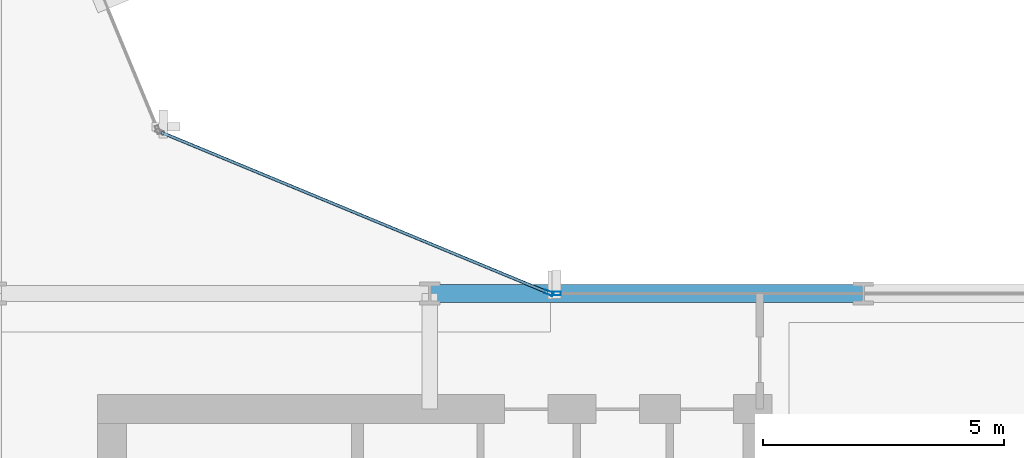
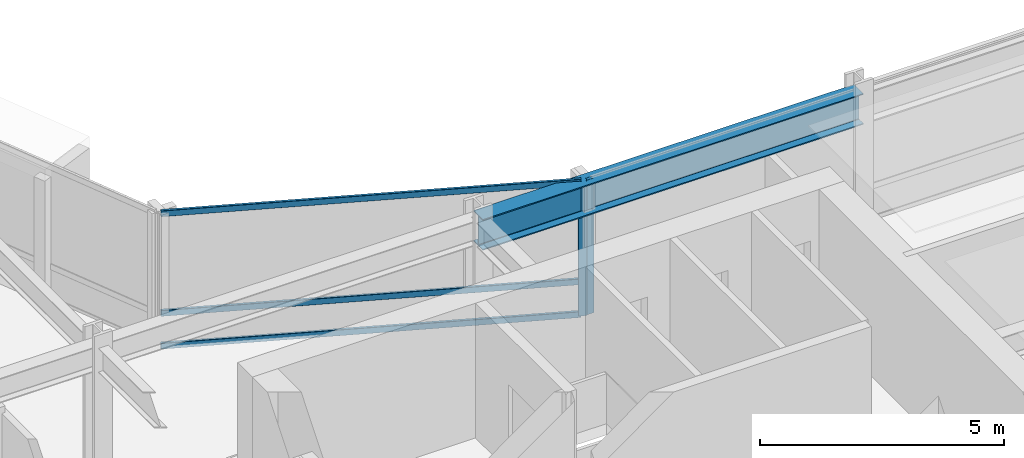
# One storey, part 15 of 34: 5 members, 1 beam, 2 elements without a shape of their own.
"""IFC4 building model written with IfcOpenShell, lengths in metres."""

import ifcopenshell
import ifcopenshell.guid

model = None  # the IFC model being written
_history = None  # IfcOwnerHistory: only IFC2X3 demands one
_inside = {}  # id of a spatial element -> (the spatial element, [elements in it])
_under = {}  # id of a project, library or spatial element -> (it, [spatial elements below it])
_declared = {}  # id of a project -> (the project, [libraries it declares])
_typed = {}  # id of a type object -> (the type object, [elements of that type])
_made_of = {}  # id of a material, layer set ... -> (it, [elements and type objects made of it])


def new_model(schema):
    """Start an empty IFC model of exactly this schema.

    Asked for "IFC4X3", IfcOpenShell would pick the latest addendum, in which some entities
    have other attributes; the version numbers below select the first issue.
    IFC2X3 requires an IfcOwnerHistory on every rooted entity: one is made here for all.
    """
    global model, _history
    if schema == "IFC4X3":
        model = ifcopenshell.file(schema_version=(4, 3, 0, 0))
    else:
        model = ifcopenshell.file(schema=schema)
    _inside.clear()
    _under.clear()
    _declared.clear()
    _typed.clear()
    _made_of.clear()
    _history = None
    if model.schema == "IFC2X3":
        org = make("IfcOrganization", Name="unknown")
        user = make(
            "IfcPersonAndOrganization",
            ThePerson=make("IfcPerson", FamilyName="unknown"),
            TheOrganization=org,
        )
        app = make(
            "IfcApplication",
            ApplicationDeveloper=org,
            Version="unknown",
            ApplicationFullName="unknown",
            ApplicationIdentifier="unknown",
        )
        _history = make(
            "IfcOwnerHistory",
            OwningUser=user,
            OwningApplication=app,
            ChangeAction="ADDED",
            CreationDate=0,
        )
    return model


def make(cls, **values):
    """One entity of the class cls with the attributes given. An attribute that is None is left unset."""
    return model.create_entity(
        cls, **{name: value for name, value in values.items() if value is not None}
    )


def rooted(cls, **values):
    """An entity with a GlobalId (a new one), such as an element, a storey or a relation."""
    return make(cls, GlobalId=ifcopenshell.guid.new(), OwnerHistory=_history, **values)


def si_unit(unit_type, name, prefix=None):
    """IfcSIUnit, for example si_unit("LENGTHUNIT", "METRE", prefix="MILLI")."""
    return make("IfcSIUnit", UnitType=unit_type, Prefix=prefix, Name=name)


def assignment(units):
    """IfcUnitAssignment: the units of a project."""
    return None if units is None else make("IfcUnitAssignment", Units=units)


def point(xyz):
    """IfcCartesianPoint."""
    return None if xyz is None else make("IfcCartesianPoint", Coordinates=xyz)


def direction(xyz):
    """IfcDirection."""
    return None if xyz is None else make("IfcDirection", DirectionRatios=xyz)


def frame(location, z_axis=None, x_axis=None):
    """IfcAxis2Placement3D, a coordinate frame: its origin and axes. An axis left out is left unset."""
    return make(
        "IfcAxis2Placement3D",
        Location=point(location),
        Axis=direction(z_axis),
        RefDirection=direction(x_axis),
    )


def frame_2d(location, x_axis=None):
    """IfcAxis2Placement2D, a coordinate frame in the plane: its origin and x axis."""
    return make(
        "IfcAxis2Placement2D", Location=point(location), RefDirection=direction(x_axis)
    )


def origin():
    """The frame at (0, 0, 0) with its axes left unset."""
    return frame((0.0, 0.0, 0.0))


def origin_2d():
    """The frame at (0, 0) in the plane with its x axis left unset."""
    return frame_2d((0.0, 0.0))


def place(relative_to, where):
    """IfcLocalPlacement: puts the frame where relative to a parent placement (None: the world)."""
    return make(
        "IfcLocalPlacement", PlacementRelTo=relative_to, RelativePlacement=where
    )


def context(
    kind, dimensions, precision=None, world=None, true_north=None, identifier=None
):
    """IfcGeometricRepresentationContext, for example the 3D "Model" context."""
    return make(
        "IfcGeometricRepresentationContext",
        ContextIdentifier=identifier,
        ContextType=kind,
        CoordinateSpaceDimension=dimensions,
        Precision=precision,
        WorldCoordinateSystem=world,
        TrueNorth=true_north,
    )


def subcontext(parent, identifier, kind, view, scale=None):
    """IfcGeometricRepresentationSubContext, for example "Body" below "Model"."""
    return make(
        "IfcGeometricRepresentationSubContext",
        ContextIdentifier=identifier,
        ContextType=kind,
        ParentContext=parent,
        TargetScale=scale,
        TargetView=view,
    )


def project(units=None, contexts=None):
    """IfcProject with its units and contexts."""
    return rooted(
        "IfcProject",
        Name="project",
        RepresentationContexts=contexts,
        UnitsInContext=assignment(units),
    )


def spatial(cls, under=None, at=None, **own):
    """A site, building, storey or space (cls), placed at a placement, below another one or the project."""
    s = rooted(cls, ObjectPlacement=at, **own)
    if under is not None:
        _under.setdefault(under.id(), (under, []))[1].append(s)
    return s


def profile(cls, at=None, kind="AREA", **sizes):
    """A parametric profile (cls). Its sizes go by their IFC names, for example OverallWidth=200.0."""
    return make(cls, ProfileType=kind, Position=at, **sizes)


def hollow_rectangle(**sizes):
    """IfcRectangleHollowProfileDef."""
    return profile("IfcRectangleHollowProfileDef", **sizes)


def i_section(**sizes):
    """IfcIShapeProfileDef."""
    return profile("IfcIShapeProfileDef", **sizes)


def extrude(swept, where, along, depth):
    """IfcExtrudedAreaSolid: the profile swept, set in the frame where, extruded along a direction by depth."""
    return make(
        "IfcExtrudedAreaSolid",
        SweptArea=swept,
        Position=where,
        ExtrudedDirection=direction(along),
        Depth=depth,
    )


def shape(context_of_items, identifier, shape_type, items):
    """IfcShapeRepresentation: the items that make up one representation, for example the "Body"."""
    return make(
        "IfcShapeRepresentation",
        ContextOfItems=context_of_items,
        RepresentationIdentifier=identifier,
        RepresentationType=shape_type,
        Items=items,
    )


def material(Name=None, Category=None):
    """IfcMaterial."""
    return make("IfcMaterial", Name=Name, Category=Category)


def layer(
    of_material, thickness, ventilated=None, Name=None, Category=None, Priority=None
):
    """IfcMaterialLayer: one layer of a wall or slab, of a material (None: an air gap)."""
    return make(
        "IfcMaterialLayer",
        Material=of_material,
        LayerThickness=thickness,
        IsVentilated=ventilated,
        Name=Name,
        Category=Category,
        Priority=Priority,
    )


def layer_set(layers, Name=None):
    """IfcMaterialLayerSet."""
    return make("IfcMaterialLayerSet", MaterialLayers=layers, LayerSetName=Name)


def material_profile(
    of_material, cross_section, Name=None, Category=None, Priority=None
):
    """IfcMaterialProfile: a cross section and its material."""
    return make(
        "IfcMaterialProfile",
        Name=Name,
        Material=of_material,
        Profile=cross_section,
        Priority=Priority,
        Category=Category,
    )


def profile_set(profiles, Name=None, composite=None):
    """IfcMaterialProfileSet."""
    return make(
        "IfcMaterialProfileSet",
        Name=Name,
        MaterialProfiles=profiles,
        CompositeProfile=composite,
    )


def made_of(thing, what):
    """Note that an element or type object is made of a material, layer set ...; save() writes the relation."""
    if what is not None:
        _made_of.setdefault(what.id(), (what, []))[1].append(thing)
    return thing


def type_object(cls, material=None, **own):
    """A type object (cls), such as IfcWallType, which elements share."""
    return made_of(rooted(cls, **own), material)


def element(
    cls,
    number,
    at=None,
    inside=None,
    cuts=None,
    type_object=None,
    material=None,
    context=None,
    identifier="Body",
    shape_type=None,
    held_by="IfcProductDefinitionShape",
    body=None,
    shapes=None,
    **own,
):
    """One element of the class cls, such as IfcWall. Its Tag is "e" and its number.

    at: its placement. inside: the storey or other place that contains it. cuts: it is an
    opening in that element (IfcRelVoidsElement). A single representation is given by context,
    identifier, shape_type and body (its items); several are given by shapes. held_by: the class
    of the entity that holds the representations. save() writes the other relations.
    """
    e = rooted(cls, Tag="e%d" % number, ObjectPlacement=at, **own)
    if body is not None:
        shapes = [shape(context, identifier, shape_type, body)]
    if shapes is not None:
        e.Representation = make(held_by, Representations=shapes)
    if inside is not None:
        _inside.setdefault(inside.id(), (inside, []))[1].append(e)
    if cuts is not None:
        rooted(
            "IfcRelVoidsElement", RelatingBuildingElement=cuts, RelatedOpeningElement=e
        )
    if type_object is not None:
        _typed.setdefault(type_object.id(), (type_object, []))[1].append(e)
    return made_of(e, material)


def aggregate(whole, parts):
    """IfcRelAggregates: a whole, such as a stair, and the parts it consists of."""
    return rooted("IfcRelAggregates", RelatingObject=whole, RelatedObjects=parts)


def save(model, path):
    """Write the relations noted so far, then the file.

    IfcRelAggregates (storeys below a building ...), IfcRelContainedInSpatialStructure (elements
    in a storey), IfcRelDefinesByType, IfcRelAssociatesMaterial and IfcRelDeclares: one each for
    every whole, place, type object, material and project.
    """
    for whole, parts in _under.values():
        aggregate(whole, parts)
    for where, things in _inside.values():
        rooted(
            "IfcRelContainedInSpatialStructure",
            RelatedElements=things,
            RelatingStructure=where,
        )
    for kind, things in _typed.values():
        rooted("IfcRelDefinesByType", RelatedObjects=things, RelatingType=kind)
    for what, things in _made_of.values():
        rooted("IfcRelAssociatesMaterial", RelatedObjects=things, RelatingMaterial=what)
    for by, libraries in _declared.values():
        rooted("IfcRelDeclares", RelatingContext=by, RelatedDefinitions=libraries)
    model.write(path)


model = new_model("IFC4")

# Units and contexts
model_context = context("Model", 3, precision=1e-05, world=origin(), true_north=direction((0.0, 1.0)))
body_context = subcontext(model_context, "Body", "Model", "MODEL_VIEW")
ifc_project = project(units=[si_unit("LENGTHUNIT", "METRE"), si_unit("AREAUNIT", "SQUARE_METRE"), si_unit("VOLUMEUNIT", "CUBIC_METRE"), si_unit("PLANEANGLEUNIT", "RADIAN"), si_unit("MASSUNIT", "GRAM", prefix="KILO")], contexts=[model_context])

# Site, building, storey
site_placement = place(None, origin())
site = spatial("IfcSite", under=ifc_project, at=site_placement, CompositionType="ELEMENT")
building_placement = place(site_placement, origin())
building = spatial("IfcBuilding", under=site, at=building_placement, Name="Solvaryn Broadcast Tower", CompositionType="ELEMENT")
storey_placement = place(building_placement, frame((0.0, 0.0, 96.5)))
storey = spatial("IfcBuildingStorey", under=building, at=storey_placement, Name="L23", CompositionType="ELEMENT", Elevation=96.5)

# Beam
ifc_material_1 = material(Name="Steel ASTM A992 Grade 50", Category="steel")
ifc_material_profile_1 = material_profile(ifc_material_1, i_section(OverallWidth=0.381103515625, OverallDepth=0.77294921875, WebThickness=0.0166015625, FlangeThickness=0.027099609375, FilletRadius=0.01806640625, at=origin_2d()))
ifc_profile_set_1 = profile_set([ifc_material_profile_1], Name="Steel ASTM A992 Grade 50")
beam_type = type_object("IfcBeamType", Name="BM-SP1-W30X173", PredefinedType="USERDEFINED", material=ifc_profile_set_1)
beam_placement = place(storey_placement, frame((36.0, 27.0, 2.9833984375), z_axis=(1.0, 0.0, 0.0), x_axis=(0.0, 1.0, 0.0)))
element("IfcBeam", 1, at=beam_placement, inside=storey, type_object=beam_type, Name="L23 Spandrel Beam X (36-45 @ Y=27)", ObjectType="SPANDREL", PredefinedType="USERDEFINED", context=body_context, shape_type="SweptSolid", body=[
    extrude(i_section(OverallWidth=0.381103515625, OverallDepth=0.77294921875, WebThickness=0.0166015625, FlangeThickness=0.027099609375, FilletRadius=0.01806640625, at=origin_2d()), origin(), (0.0, 0.0, 1.0), 9.0),
])

# Curtain wall, member
ifc_material_2 = material(Name="Aluminium and Terracotta Unitised Curtain Wall", Category="masonry")
ifc_layer = layer(ifc_material_2, 0.199951171875)
ifc_layer_set = layer_set([ifc_layer], Name="CW-SYS2-LOWMID")
curtain_wall_type = type_object("IfcCurtainWallType", Name="CW-SYS2-LOWMID", PredefinedType="NOTDEFINED", material=ifc_layer_set)
curtain_wall_1_placement = place(storey_placement, origin())
curtain_wall_1 = element("IfcCurtainWall", 2, at=curtain_wall_1_placement, inside=storey, type_object=curtain_wall_type, Name="L23 Curtain Wall CN1", PredefinedType="NOTDEFINED")
ifc_material_3 = material(Name="Anodised Aluminium 6063-T6", Category="aluminium")
ifc_material_profile_2 = material_profile(ifc_material_3, hollow_rectangle(XDim=0.074951171875, YDim=0.179931640625, WallThickness=0.00390625, InnerFilletRadius=0.00390625, OuterFilletRadius=0.008056640625, at=origin_2d()))
ifc_profile_set_2 = profile_set([ifc_material_profile_2], Name="Anodised Aluminium 6063-T6")
member_type_1 = type_object("IfcMemberType", Name="CW-MUL-180", PredefinedType="MULLION", material=ifc_profile_set_2)
member_1_placement = place(storey_placement, frame((38.47216796875, 27.011474609375, 0.0), z_axis=(0.0, 0.0, 1.0), x_axis=(-0.382646127145, -0.923894983957, 0.0)))
member_1 = element("IfcMember", 3, at=member_1_placement, type_object=member_type_1, Name="CWS2 mullion 1", PredefinedType="MULLION", context=body_context, shape_type="SweptSolid", body=[
    extrude(hollow_rectangle(XDim=0.074951171875, YDim=0.179931640625, WallThickness=0.00390625, InnerFilletRadius=0.00390625, OuterFilletRadius=0.008056640625, at=origin_2d()), origin(), (0.0, 0.0, 1.0), 3.3701171875),
])

curtain_wall_2_placement = place(storey_placement, origin())
curtain_wall_2 = element("IfcCurtainWall", 4, at=curtain_wall_2_placement, inside=storey, type_object=curtain_wall_type, Name="L23 Curtain Wall IH", PredefinedType="NOTDEFINED")
member_2_placement = place(storey_placement, frame((38.6298828125, 27.0, 0.0), z_axis=(0.0, 0.0, 1.0), x_axis=(0.0, 1.0, 0.0)))
member_2 = element("IfcMember", 5, at=member_2_placement, type_object=member_type_1, Name="CWS2 mullion 1", PredefinedType="MULLION", context=body_context, shape_type="SweptSolid", body=[
    extrude(hollow_rectangle(XDim=0.074951171875, YDim=0.179931640625, WallThickness=0.00390625, InnerFilletRadius=0.00390625, OuterFilletRadius=0.008056640625, at=origin_2d()), origin(), (0.0, 0.0, 1.0), 3.3701171875),
])
aggregate(curtain_wall_2, [member_2])

# Member
ifc_material_4 = material(Name="Anodised Aluminium 6063-T6", Category="aluminium")
ifc_material_profile_3 = material_profile(ifc_material_4, hollow_rectangle(XDim=0.06494140625, YDim=0.14990234375, WallThickness=0.00390625, InnerFilletRadius=0.00390625, OuterFilletRadius=0.008056640625, at=origin_2d()))
ifc_profile_set_3 = profile_set([ifc_material_profile_3], Name="Anodised Aluminium 6063-T6")
member_type_2 = type_object("IfcMemberType", Name="CW-TRN-150", PredefinedType="USERDEFINED", material=ifc_profile_set_3)
member_3_placement = place(storey_placement, frame((38.444580078125, 27.02294921875, 0.030029296875), z_axis=(-0.923899282177, 0.382635748975, 0.0), x_axis=(-0.382635748975, -0.923899282177, 0.0)))
member_3 = element("IfcMember", 6, at=member_3_placement, type_object=member_type_2, Name="CWS2 transom 1.1", ObjectType="TRANSOM", PredefinedType="USERDEFINED", context=body_context, shape_type="SweptSolid", body=[
    extrude(hollow_rectangle(XDim=0.06494140625, YDim=0.14990234375, WallThickness=0.00390625, InnerFilletRadius=0.00390625, OuterFilletRadius=0.008056640625, at=origin_2d()), origin(), (0.0, 0.0, 1.0), 8.681884765625),
])

member_4_placement = place(storey_placement, frame((38.444580078125, 27.02294921875, 0.85009765625), z_axis=(-0.923899282177, 0.382635748975, 0.0), x_axis=(-0.382635748975, -0.923899282177, 0.0)))
member_4 = element("IfcMember", 7, at=member_4_placement, type_object=member_type_2, Name="CWS2 transom 1.2", ObjectType="TRANSOM", PredefinedType="USERDEFINED", context=body_context, shape_type="SweptSolid", body=[
    extrude(hollow_rectangle(XDim=0.06494140625, YDim=0.14990234375, WallThickness=0.00390625, InnerFilletRadius=0.00390625, OuterFilletRadius=0.008056640625, at=origin_2d()), origin(), (0.0, 0.0, 1.0), 8.681884765625),
])

member_5_placement = place(storey_placement, frame((38.444580078125, 27.02294921875, 3.340087890625), z_axis=(-0.923899282177, 0.382635748975, 0.0), x_axis=(-0.382635748975, -0.923899282177, 0.0)))
member_5 = element("IfcMember", 8, at=member_5_placement, type_object=member_type_2, Name="CWS2 transom 1.3", ObjectType="TRANSOM", PredefinedType="USERDEFINED", context=body_context, shape_type="SweptSolid", body=[
    extrude(hollow_rectangle(XDim=0.06494140625, YDim=0.14990234375, WallThickness=0.00390625, InnerFilletRadius=0.00390625, OuterFilletRadius=0.008056640625, at=origin_2d()), origin(), (0.0, 0.0, 1.0), 8.681884765625),
])

aggregate(curtain_wall_1, [member_1, member_3, member_4, member_5])

save(model, "model.ifc")
